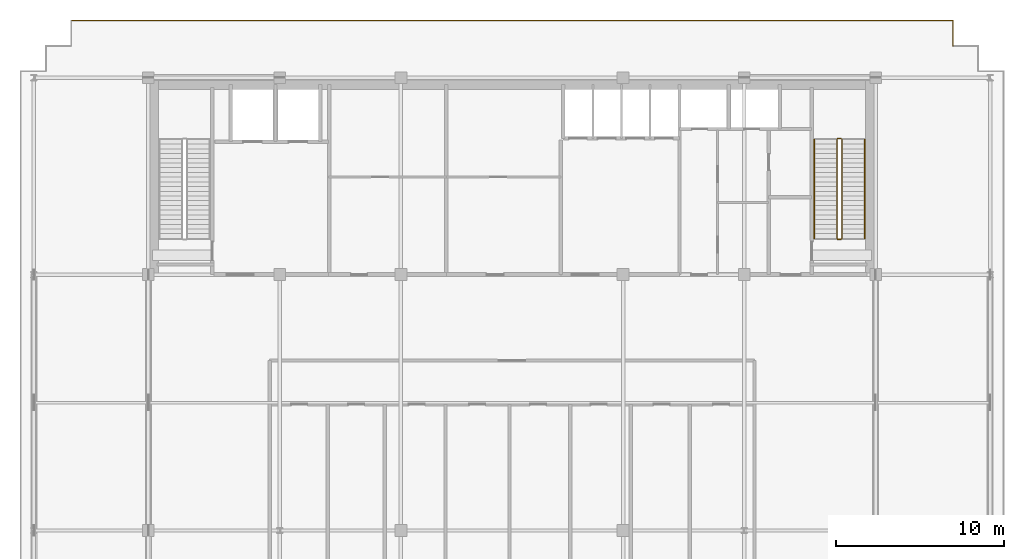
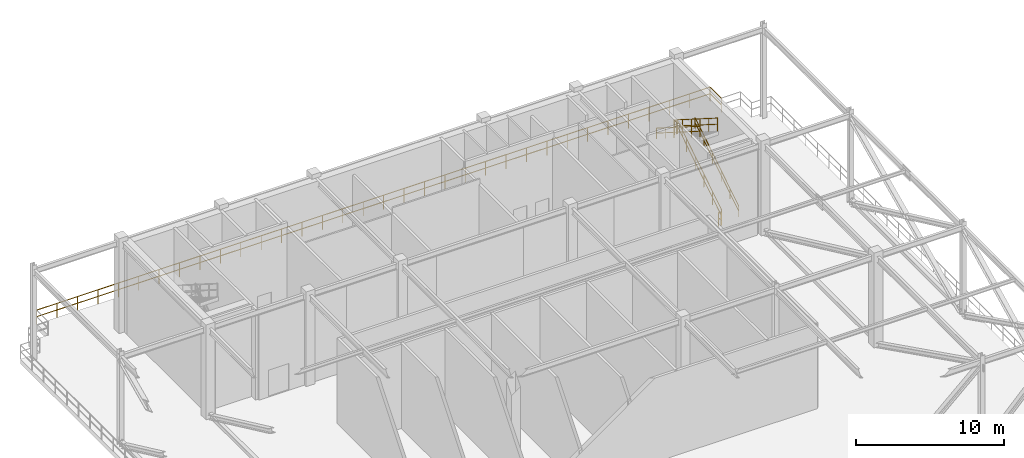
# One storey, part 14 of 15: 8 railings.
"""IFC4 building model written with IfcOpenShell, lengths in metres."""

from ifc_helpers import new_model, si_unit, direction, frame, origin, origin_2d, place, context, subcontext, project, spatial, rectangle, extrude, material, type_object, element, save


model = new_model("IFC4")

# Units and contexts
model_context = context("Model", 3, precision=1e-05, world=origin(), true_north=direction((0.0, 1.0)))
body_context = subcontext(model_context, "Body", "Model", "MODEL_VIEW")
ifc_project = project(units=[si_unit("LENGTHUNIT", "METRE"), si_unit("AREAUNIT", "SQUARE_METRE"), si_unit("VOLUMEUNIT", "CUBIC_METRE"), si_unit("PLANEANGLEUNIT", "RADIAN"), si_unit("MASSUNIT", "GRAM", prefix="KILO")], contexts=[model_context])

# Site, building, storey
site_placement = place(None, origin())
site = spatial("IfcSite", under=ifc_project, at=site_placement, CompositionType="ELEMENT")
building_placement = place(site_placement, origin())
building = spatial("IfcBuilding", under=site, at=building_placement, Name="Trelvane Seafront Commons", CompositionType="ELEMENT")
storey_placement = place(building_placement, frame((0.0, 0.0, 240.89990234375)))
storey = spatial("IfcBuildingStorey", under=building, at=storey_placement, Name="L63", CompositionType="ELEMENT", Elevation=240.89990234375)

# Railings
ifc_material = material(Name="Stainless steel balustrade", Category="steel")
railing_type_1 = type_object("IfcRailingType", Name="ARCH-RAIL-BAL1150", PredefinedType="BALUSTRADE", material=ifc_material)
railing_1_placement = place(storey_placement, frame((63.39990234375, 47.0, 0.0)))
element("IfcRailing", 1, at=railing_1_placement, inside=storey, type_object=railing_type_1, Name="RL-L63-PERIM-10", PredefinedType="BALUSTRADE", context=body_context, shape_type="SweptSolid", body=[
    extrude(rectangle(XDim=0.048095703125, YDim=0.048095703125, at=origin_2d()), frame((0.0, 0.0, 1.15576171875), z_axis=(0.0, 1.0, 0.0), x_axis=(-1.0, 0.0, 0.0)), (0.0, 0.0, 1.0), 1.5),
    extrude(rectangle(XDim=0.048095703125, YDim=0.048095703125, at=origin_2d()), frame((0.0, 0.0, 0.613525390625), z_axis=(0.0, 1.0, 0.0), x_axis=(-1.0, 0.0, 0.0)), (0.0, 0.0, 1.0), 1.5),
    extrude(rectangle(XDim=0.0419921875, YDim=0.0419921875, at=origin_2d()), origin(), (0.0, 0.0, 1.0), 1.15576171875),
    extrude(rectangle(XDim=0.0419921875, YDim=0.0419921875, at=origin_2d()), frame((0.0, 1.5, 0.0)), (0.0, 0.0, 1.0), 1.15576171875),
])
railing_2_placement = place(storey_placement, frame((63.39990234375, 48.5, 0.0)))
element("IfcRailing", 2, at=railing_2_placement, inside=storey, type_object=railing_type_1, Name="RL-L63-PERIM-11", PredefinedType="BALUSTRADE", context=body_context, shape_type="SweptSolid", body=[
    extrude(rectangle(XDim=0.048095703125, YDim=0.048095703125, at=origin_2d()), frame((0.0, 0.0, 1.15576171875), z_axis=(-1.0, 0.0, 0.0), x_axis=(0.0, -1.0, 0.0)), (0.0, 0.0, 1.0), 52.39990234375),
    extrude(rectangle(XDim=0.048095703125, YDim=0.048095703125, at=origin_2d()), frame((0.0, 0.0, 0.613525390625), z_axis=(-1.0, 0.0, 0.0), x_axis=(0.0, -1.0, 0.0)), (0.0, 0.0, 1.0), 52.39990234375),
    extrude(rectangle(XDim=0.0419921875, YDim=0.0419921875, at=origin_2d()), origin(), (0.0, 0.0, 1.0), 1.15576171875),
    extrude(rectangle(XDim=0.0419921875, YDim=0.0419921875, at=origin_2d()), frame((-1.587890625, 0.0, 0.0)), (0.0, 0.0, 1.0), 1.15576171875),
    extrude(rectangle(XDim=0.0419921875, YDim=0.0419921875, at=origin_2d()), frame((-3.17578125, 0.0, 0.0)), (0.0, 0.0, 1.0), 1.15576171875),
    extrude(rectangle(XDim=0.0419921875, YDim=0.0419921875, at=origin_2d()), frame((-4.763671875, 0.0, 0.0)), (0.0, 0.0, 1.0), 1.15576171875),
    extrude(rectangle(XDim=0.0419921875, YDim=0.0419921875, at=origin_2d()), frame((-6.3515625, 0.0, 0.0)), (0.0, 0.0, 1.0), 1.15576171875),
    extrude(rectangle(XDim=0.0419921875, YDim=0.0419921875, at=origin_2d()), frame((-7.939453125, 0.0, 0.0)), (0.0, 0.0, 1.0), 1.15576171875),
    extrude(rectangle(XDim=0.0419921875, YDim=0.0419921875, at=origin_2d()), frame((-9.52734375, 0.0, 0.0)), (0.0, 0.0, 1.0), 1.15576171875),
    extrude(rectangle(XDim=0.0419921875, YDim=0.0419921875, at=origin_2d()), frame((-11.115234375, 0.0, 0.0)), (0.0, 0.0, 1.0), 1.15576171875),
    extrude(rectangle(XDim=0.0419921875, YDim=0.0419921875, at=origin_2d()), frame((-12.703125, 0.0, 0.0)), (0.0, 0.0, 1.0), 1.15576171875),
    extrude(rectangle(XDim=0.0419921875, YDim=0.0419921875, at=origin_2d()), frame((-14.290771484375, 0.0, 0.0)), (0.0, 0.0, 1.0), 1.15576171875),
    extrude(rectangle(XDim=0.0419921875, YDim=0.0419921875, at=origin_2d()), frame((-15.878662109375, 0.0, 0.0)), (0.0, 0.0, 1.0), 1.15576171875),
    extrude(rectangle(XDim=0.0419921875, YDim=0.0419921875, at=origin_2d()), frame((-17.466552734375, 0.0, 0.0)), (0.0, 0.0, 1.0), 1.15576171875),
    extrude(rectangle(XDim=0.0419921875, YDim=0.0419921875, at=origin_2d()), frame((-19.054443359375, 0.0, 0.0)), (0.0, 0.0, 1.0), 1.15576171875),
    extrude(rectangle(XDim=0.0419921875, YDim=0.0419921875, at=origin_2d()), frame((-20.642333984375, 0.0, 0.0)), (0.0, 0.0, 1.0), 1.15576171875),
    extrude(rectangle(XDim=0.0419921875, YDim=0.0419921875, at=origin_2d()), frame((-22.230224609375, 0.0, 0.0)), (0.0, 0.0, 1.0), 1.15576171875),
    extrude(rectangle(XDim=0.0419921875, YDim=0.0419921875, at=origin_2d()), frame((-23.818115234375, 0.0, 0.0)), (0.0, 0.0, 1.0), 1.15576171875),
    extrude(rectangle(XDim=0.0419921875, YDim=0.0419921875, at=origin_2d()), frame((-25.406005859375, 0.0, 0.0)), (0.0, 0.0, 1.0), 1.15576171875),
    extrude(rectangle(XDim=0.0419921875, YDim=0.0419921875, at=origin_2d()), frame((-26.993896484375, 0.0, 0.0)), (0.0, 0.0, 1.0), 1.15576171875),
    extrude(rectangle(XDim=0.0419921875, YDim=0.0419921875, at=origin_2d()), frame((-28.581787109375, 0.0, 0.0)), (0.0, 0.0, 1.0), 1.15576171875),
    extrude(rectangle(XDim=0.0419921875, YDim=0.0419921875, at=origin_2d()), frame((-30.169677734375, 0.0, 0.0)), (0.0, 0.0, 1.0), 1.15576171875),
    extrude(rectangle(XDim=0.0419921875, YDim=0.0419921875, at=origin_2d()), frame((-31.757568359375, 0.0, 0.0)), (0.0, 0.0, 1.0), 1.15576171875),
    extrude(rectangle(XDim=0.0419921875, YDim=0.0419921875, at=origin_2d()), frame((-33.345458984375, 0.0, 0.0)), (0.0, 0.0, 1.0), 1.15576171875),
    extrude(rectangle(XDim=0.0419921875, YDim=0.0419921875, at=origin_2d()), frame((-34.933349609375, 0.0, 0.0)), (0.0, 0.0, 1.0), 1.15576171875),
    extrude(rectangle(XDim=0.0419921875, YDim=0.0419921875, at=origin_2d()), frame((-36.521240234375, 0.0, 0.0)), (0.0, 0.0, 1.0), 1.15576171875),
    extrude(rectangle(XDim=0.0419921875, YDim=0.0419921875, at=origin_2d()), frame((-38.109130859375, 0.0, 0.0)), (0.0, 0.0, 1.0), 1.15576171875),
    extrude(rectangle(XDim=0.0419921875, YDim=0.0419921875, at=origin_2d()), frame((-39.69677734375, 0.0, 0.0)), (0.0, 0.0, 1.0), 1.15576171875),
    extrude(rectangle(XDim=0.0419921875, YDim=0.0419921875, at=origin_2d()), frame((-41.28466796875, 0.0, 0.0)), (0.0, 0.0, 1.0), 1.15576171875),
    extrude(rectangle(XDim=0.0419921875, YDim=0.0419921875, at=origin_2d()), frame((-42.87255859375, 0.0, 0.0)), (0.0, 0.0, 1.0), 1.15576171875),
    extrude(rectangle(XDim=0.0419921875, YDim=0.0419921875, at=origin_2d()), frame((-44.46044921875, 0.0, 0.0)), (0.0, 0.0, 1.0), 1.15576171875),
    extrude(rectangle(XDim=0.0419921875, YDim=0.0419921875, at=origin_2d()), frame((-46.04833984375, 0.0, 0.0)), (0.0, 0.0, 1.0), 1.15576171875),
    extrude(rectangle(XDim=0.0419921875, YDim=0.0419921875, at=origin_2d()), frame((-47.63623046875, 0.0, 0.0)), (0.0, 0.0, 1.0), 1.15576171875),
    extrude(rectangle(XDim=0.0419921875, YDim=0.0419921875, at=origin_2d()), frame((-49.22412109375, 0.0, 0.0)), (0.0, 0.0, 1.0), 1.15576171875),
    extrude(rectangle(XDim=0.0419921875, YDim=0.0419921875, at=origin_2d()), frame((-50.81201171875, 0.0, 0.0)), (0.0, 0.0, 1.0), 1.15576171875),
    extrude(rectangle(XDim=0.0419921875, YDim=0.0419921875, at=origin_2d()), frame((-52.39990234375, 0.0, 0.0)), (0.0, 0.0, 1.0), 1.15576171875),
])
railing_type_2 = type_object("IfcRailingType", Name="ARCH-SRL-GUARD", PredefinedType="GUARDRAIL", material=ifc_material)
railing_3_placement = place(storey_placement, frame((56.800048828125, 35.550048828125, 0.177490234375)))
element("IfcRailing", 3, at=railing_3_placement, inside=storey, type_object=railing_type_2, Name="L63 ST-2 stair guard 1", PredefinedType="GUARDRAIL", context=body_context, shape_type="SweptSolid", body=[
    extrude(rectangle(XDim=0.048095703125, YDim=0.048095703125, at=origin_2d()), frame((0.0, 0.0, 1.076171875), z_axis=(0.0, 0.844901525001, 0.534921875652), x_axis=(-1.0, 0.0, 0.0)), (0.0, 0.0, 1.0), 6.959228515625),
    extrude(rectangle(XDim=0.048095703125, YDim=0.048095703125, at=origin_2d()), frame((0.0, 0.0, 0.572021484375), z_axis=(0.0, 0.844901525001, 0.534921875652), x_axis=(-1.0, 0.0, 0.0)), (0.0, 0.0, 1.0), 6.959228515625),
    extrude(rectangle(XDim=0.0419921875, YDim=0.0419921875, at=origin_2d()), origin(), (0.0, 0.0, 1.0), 1.076171875),
    extrude(rectangle(XDim=0.0419921875, YDim=0.0419921875, at=origin_2d()), frame((0.0, 1.176025390625, 0.74462890625)), (0.0, 0.0, 1.0), 1.076171875),
    extrude(rectangle(XDim=0.0419921875, YDim=0.0419921875, at=origin_2d()), frame((0.0, 2.35205078125, 1.489013671875)), (0.0, 0.0, 1.0), 1.076171875),
    extrude(rectangle(XDim=0.0419921875, YDim=0.0419921875, at=origin_2d()), frame((0.0, 3.52783203125, 2.233642578125)), (0.0, 0.0, 1.0), 1.076171875),
    extrude(rectangle(XDim=0.0419921875, YDim=0.0419921875, at=origin_2d()), frame((0.0, 4.703857421875, 2.97802734375)), (0.0, 0.0, 1.0), 1.076171875),
    extrude(rectangle(XDim=0.0419921875, YDim=0.0419921875, at=origin_2d()), frame((0.0, 5.8798828125, 3.72265625)), (0.0, 0.0, 1.0), 1.076171875),
])
railing_4_placement = place(storey_placement, frame((56.75, 41.47998046875, 3.900146484375)))
element("IfcRailing", 4, at=railing_4_placement, inside=storey, type_object=railing_type_2, Name="L63 ST-2 stair guard 2", PredefinedType="GUARDRAIL", context=body_context, shape_type="SweptSolid", body=[
    extrude(rectangle(XDim=0.048095703125, YDim=0.048095703125, at=origin_2d()), frame((0.0, 0.0, 1.076171875), z_axis=(-1.0, 0.0, 0.0), x_axis=(0.0, -1.0, 0.0)), (0.0, 0.0, 1.0), 0.199951171875),
    extrude(rectangle(XDim=0.048095703125, YDim=0.048095703125, at=origin_2d()), frame((0.0, 0.0, 0.572021484375), z_axis=(-1.0, 0.0, 0.0), x_axis=(0.0, -1.0, 0.0)), (0.0, 0.0, 1.0), 0.199951171875),
    extrude(rectangle(XDim=0.0419921875, YDim=0.0419921875, at=origin_2d()), origin(), (0.0, 0.0, 1.0), 1.076171875),
    extrude(rectangle(XDim=0.0419921875, YDim=0.0419921875, at=origin_2d()), frame((-0.199951171875, 0.0, 0.0)), (0.0, 0.0, 1.0), 1.076171875),
])
railing_5_placement = place(storey_placement, frame((56.5, 41.429931640625, 4.077392578125)))
element("IfcRailing", 5, at=railing_5_placement, inside=storey, type_object=railing_type_2, Name="L63 ST-2 stair guard 3", PredefinedType="GUARDRAIL", context=body_context, shape_type="SweptSolid", body=[
    extrude(rectangle(XDim=0.048095703125, YDim=0.048095703125, at=origin_2d()), frame((0.0, 0.0, 1.076171875), z_axis=(0.0, -0.844901525001, 0.534921875652), x_axis=(1.0, 0.0, 0.0)), (0.0, 0.0, 1.0), 6.959228515625),
    extrude(rectangle(XDim=0.048095703125, YDim=0.048095703125, at=origin_2d()), frame((0.0, 0.0, 0.572021484375), z_axis=(0.0, -0.844901525001, 0.534921875652), x_axis=(1.0, 0.0, 0.0)), (0.0, 0.0, 1.0), 6.959228515625),
    extrude(rectangle(XDim=0.0419921875, YDim=0.0419921875, at=origin_2d()), origin(), (0.0, 0.0, 1.0), 1.076171875),
    extrude(rectangle(XDim=0.0419921875, YDim=0.0419921875, at=origin_2d()), frame((0.0, -1.176025390625, 0.74462890625)), (0.0, 0.0, 1.0), 1.076171875),
    extrude(rectangle(XDim=0.0419921875, YDim=0.0419921875, at=origin_2d()), frame((0.0, -2.35205078125, 1.489013671875)), (0.0, 0.0, 1.0), 1.076171875),
    extrude(rectangle(XDim=0.0419921875, YDim=0.0419921875, at=origin_2d()), frame((0.0, -3.52783203125, 2.233642578125)), (0.0, 0.0, 1.0), 1.076171875),
    extrude(rectangle(XDim=0.0419921875, YDim=0.0419921875, at=origin_2d()), frame((0.0, -4.703857421875, 2.97802734375)), (0.0, 0.0, 1.0), 1.076171875),
    extrude(rectangle(XDim=0.0419921875, YDim=0.0419921875, at=origin_2d()), frame((0.0, -5.8798828125, 3.72265625)), (0.0, 0.0, 1.0), 1.076171875),
])
railing_6_placement = place(storey_placement, frame((56.75, 35.5, 0.0)))
element("IfcRailing", 6, at=railing_6_placement, inside=storey, type_object=railing_type_2, Name="L63 ST-2 stair guard 4", PredefinedType="GUARDRAIL", context=body_context, shape_type="SweptSolid", body=[
    extrude(rectangle(XDim=0.048095703125, YDim=0.048095703125, at=origin_2d()), frame((0.0, 0.0, 1.076171875), z_axis=(-1.0, 0.0, 0.0), x_axis=(0.0, -1.0, 0.0)), (0.0, 0.0, 1.0), 0.199951171875),
    extrude(rectangle(XDim=0.048095703125, YDim=0.048095703125, at=origin_2d()), frame((0.0, 0.0, 0.572021484375), z_axis=(-1.0, 0.0, 0.0), x_axis=(0.0, -1.0, 0.0)), (0.0, 0.0, 1.0), 0.199951171875),
    extrude(rectangle(XDim=0.0419921875, YDim=0.0419921875, at=origin_2d()), origin(), (0.0, 0.0, 1.0), 1.076171875),
    extrude(rectangle(XDim=0.0419921875, YDim=0.0419921875, at=origin_2d()), frame((-0.199951171875, 0.0, 0.0)), (0.0, 0.0, 1.0), 1.076171875),
])
railing_type_3 = type_object("IfcRailingType", Name="ARCH-SRL-HAND", PredefinedType="HANDRAIL", material=ifc_material)
railing_7_placement = place(storey_placement, frame((58.14990234375, 35.550048828125, 0.177490234375)))
element("IfcRailing", 7, at=railing_7_placement, inside=storey, type_object=railing_type_3, Name="L63 ST-2 stair handrail 1", PredefinedType="HANDRAIL", context=body_context, shape_type="SweptSolid", body=[
    extrude(rectangle(XDim=0.048095703125, YDim=0.048095703125, at=origin_2d()), frame((0.0, 0.0, 0.8759765625), z_axis=(0.0, 0.844901525001, 0.534921875652), x_axis=(-1.0, 0.0, 0.0)), (0.0, 0.0, 1.0), 6.959228515625),
    extrude(rectangle(XDim=0.048095703125, YDim=0.048095703125, at=origin_2d()), frame((0.0, 0.0, 0.468017578125), z_axis=(0.0, 0.844901525001, 0.534921875652), x_axis=(-1.0, 0.0, 0.0)), (0.0, 0.0, 1.0), 6.959228515625),
    extrude(rectangle(XDim=0.0419921875, YDim=0.0419921875, at=origin_2d()), origin(), (0.0, 0.0, 1.0), 0.8759765625),
    extrude(rectangle(XDim=0.0419921875, YDim=0.0419921875, at=origin_2d()), frame((0.0, 1.176025390625, 0.74462890625)), (0.0, 0.0, 1.0), 0.8759765625),
    extrude(rectangle(XDim=0.0419921875, YDim=0.0419921875, at=origin_2d()), frame((0.0, 2.35205078125, 1.489013671875)), (0.0, 0.0, 1.0), 0.8759765625),
    extrude(rectangle(XDim=0.0419921875, YDim=0.0419921875, at=origin_2d()), frame((0.0, 3.52783203125, 2.233642578125)), (0.0, 0.0, 1.0), 0.8759765625),
    extrude(rectangle(XDim=0.0419921875, YDim=0.0419921875, at=origin_2d()), frame((0.0, 4.703857421875, 2.97802734375)), (0.0, 0.0, 1.0), 0.8759765625),
    extrude(rectangle(XDim=0.0419921875, YDim=0.0419921875, at=origin_2d()), frame((0.0, 5.8798828125, 3.72265625)), (0.0, 0.0, 1.0), 0.8759765625),
])
railing_8_placement = place(storey_placement, frame((55.14990234375, 41.429931640625, 4.077392578125)))
element("IfcRailing", 8, at=railing_8_placement, inside=storey, type_object=railing_type_3, Name="L63 ST-2 stair handrail 2", PredefinedType="HANDRAIL", context=body_context, shape_type="SweptSolid", body=[
    extrude(rectangle(XDim=0.048095703125, YDim=0.048095703125, at=origin_2d()), frame((0.0, 0.0, 0.8759765625), z_axis=(0.0, -0.844901525001, 0.534921875652), x_axis=(1.0, 0.0, 0.0)), (0.0, 0.0, 1.0), 6.959228515625),
    extrude(rectangle(XDim=0.048095703125, YDim=0.048095703125, at=origin_2d()), frame((0.0, 0.0, 0.468017578125), z_axis=(0.0, -0.844901525001, 0.534921875652), x_axis=(1.0, 0.0, 0.0)), (0.0, 0.0, 1.0), 6.959228515625),
    extrude(rectangle(XDim=0.0419921875, YDim=0.0419921875, at=origin_2d()), origin(), (0.0, 0.0, 1.0), 0.8759765625),
    extrude(rectangle(XDim=0.0419921875, YDim=0.0419921875, at=origin_2d()), frame((0.0, -1.176025390625, 0.74462890625)), (0.0, 0.0, 1.0), 0.8759765625),
    extrude(rectangle(XDim=0.0419921875, YDim=0.0419921875, at=origin_2d()), frame((0.0, -2.35205078125, 1.489013671875)), (0.0, 0.0, 1.0), 0.8759765625),
    extrude(rectangle(XDim=0.0419921875, YDim=0.0419921875, at=origin_2d()), frame((0.0, -3.52783203125, 2.233642578125)), (0.0, 0.0, 1.0), 0.8759765625),
    extrude(rectangle(XDim=0.0419921875, YDim=0.0419921875, at=origin_2d()), frame((0.0, -4.703857421875, 2.97802734375)), (0.0, 0.0, 1.0), 0.8759765625),
    extrude(rectangle(XDim=0.0419921875, YDim=0.0419921875, at=origin_2d()), frame((0.0, -5.8798828125, 3.72265625)), (0.0, 0.0, 1.0), 0.8759765625),
])

save(model, "model.ifc")
